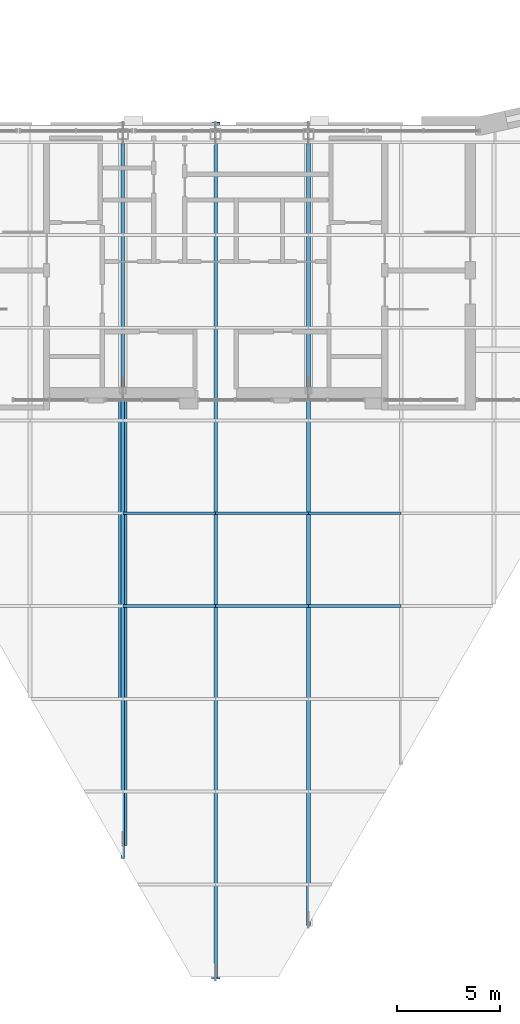
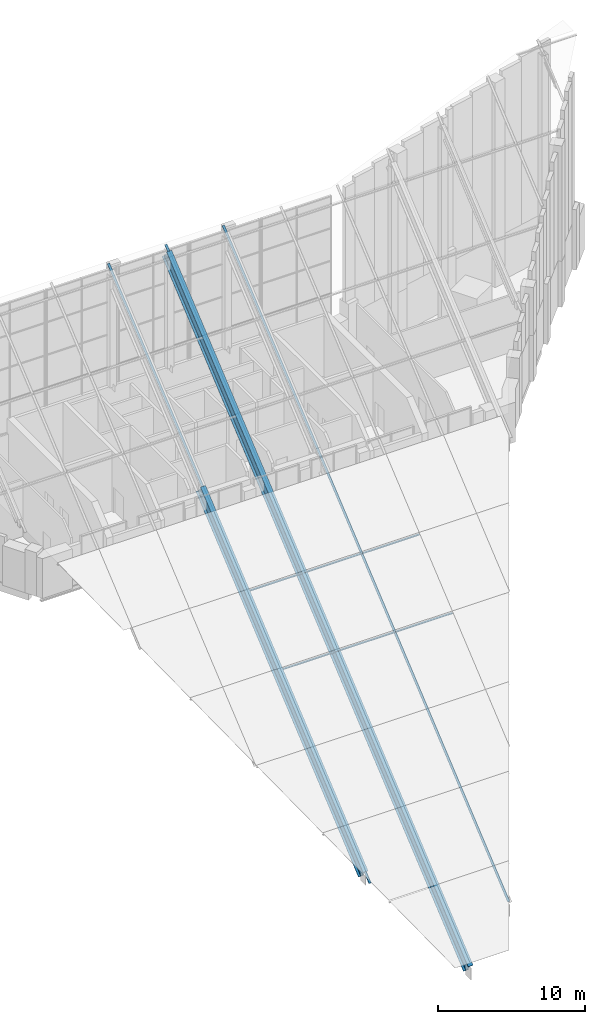
# One storey, part 3 of 19: 9 members, 2 beams, 3 elements without a shape of their own.
"""IFC4 building model written with IfcOpenShell, lengths in metres."""

import ifcopenshell
import ifcopenshell.guid

model = None  # the IFC model being written
_history = None  # IfcOwnerHistory: only IFC2X3 demands one
_inside = {}  # id of a spatial element -> (the spatial element, [elements in it])
_under = {}  # id of a project, library or spatial element -> (it, [spatial elements below it])
_declared = {}  # id of a project -> (the project, [libraries it declares])
_typed = {}  # id of a type object -> (the type object, [elements of that type])
_made_of = {}  # id of a material, layer set ... -> (it, [elements and type objects made of it])


def new_model(schema):
    """Start an empty IFC model of exactly this schema.

    Asked for "IFC4X3", IfcOpenShell would pick the latest addendum, in which some entities
    have other attributes; the version numbers below select the first issue.
    IFC2X3 requires an IfcOwnerHistory on every rooted entity: one is made here for all.
    """
    global model, _history
    if schema == "IFC4X3":
        model = ifcopenshell.file(schema_version=(4, 3, 0, 0))
    else:
        model = ifcopenshell.file(schema=schema)
    _inside.clear()
    _under.clear()
    _declared.clear()
    _typed.clear()
    _made_of.clear()
    _history = None
    if model.schema == "IFC2X3":
        org = make("IfcOrganization", Name="unknown")
        user = make(
            "IfcPersonAndOrganization",
            ThePerson=make("IfcPerson", FamilyName="unknown"),
            TheOrganization=org,
        )
        app = make(
            "IfcApplication",
            ApplicationDeveloper=org,
            Version="unknown",
            ApplicationFullName="unknown",
            ApplicationIdentifier="unknown",
        )
        _history = make(
            "IfcOwnerHistory",
            OwningUser=user,
            OwningApplication=app,
            ChangeAction="ADDED",
            CreationDate=0,
        )
    return model


def make(cls, **values):
    """One entity of the class cls with the attributes given. An attribute that is None is left unset."""
    return model.create_entity(
        cls, **{name: value for name, value in values.items() if value is not None}
    )


def rooted(cls, **values):
    """An entity with a GlobalId (a new one), such as an element, a storey or a relation."""
    return make(cls, GlobalId=ifcopenshell.guid.new(), OwnerHistory=_history, **values)


def si_unit(unit_type, name, prefix=None):
    """IfcSIUnit, for example si_unit("LENGTHUNIT", "METRE", prefix="MILLI")."""
    return make("IfcSIUnit", UnitType=unit_type, Prefix=prefix, Name=name)


def assignment(units):
    """IfcUnitAssignment: the units of a project."""
    return None if units is None else make("IfcUnitAssignment", Units=units)


def point(xyz):
    """IfcCartesianPoint."""
    return None if xyz is None else make("IfcCartesianPoint", Coordinates=xyz)


def direction(xyz):
    """IfcDirection."""
    return None if xyz is None else make("IfcDirection", DirectionRatios=xyz)


def frame(location, z_axis=None, x_axis=None):
    """IfcAxis2Placement3D, a coordinate frame: its origin and axes. An axis left out is left unset."""
    return make(
        "IfcAxis2Placement3D",
        Location=point(location),
        Axis=direction(z_axis),
        RefDirection=direction(x_axis),
    )


def frame_2d(location, x_axis=None):
    """IfcAxis2Placement2D, a coordinate frame in the plane: its origin and x axis."""
    return make(
        "IfcAxis2Placement2D", Location=point(location), RefDirection=direction(x_axis)
    )


def origin():
    """The frame at (0, 0, 0) with its axes left unset."""
    return frame((0.0, 0.0, 0.0))


def origin_2d():
    """The frame at (0, 0) in the plane with its x axis left unset."""
    return frame_2d((0.0, 0.0))


def place(relative_to, where):
    """IfcLocalPlacement: puts the frame where relative to a parent placement (None: the world)."""
    return make(
        "IfcLocalPlacement", PlacementRelTo=relative_to, RelativePlacement=where
    )


def context(
    kind, dimensions, precision=None, world=None, true_north=None, identifier=None
):
    """IfcGeometricRepresentationContext, for example the 3D "Model" context."""
    return make(
        "IfcGeometricRepresentationContext",
        ContextIdentifier=identifier,
        ContextType=kind,
        CoordinateSpaceDimension=dimensions,
        Precision=precision,
        WorldCoordinateSystem=world,
        TrueNorth=true_north,
    )


def subcontext(parent, identifier, kind, view, scale=None):
    """IfcGeometricRepresentationSubContext, for example "Body" below "Model"."""
    return make(
        "IfcGeometricRepresentationSubContext",
        ContextIdentifier=identifier,
        ContextType=kind,
        ParentContext=parent,
        TargetScale=scale,
        TargetView=view,
    )


def project(units=None, contexts=None):
    """IfcProject with its units and contexts."""
    return rooted(
        "IfcProject",
        Name="project",
        RepresentationContexts=contexts,
        UnitsInContext=assignment(units),
    )


def spatial(cls, under=None, at=None, **own):
    """A site, building, storey or space (cls), placed at a placement, below another one or the project."""
    s = rooted(cls, ObjectPlacement=at, **own)
    if under is not None:
        _under.setdefault(under.id(), (under, []))[1].append(s)
    return s


def profile(cls, at=None, kind="AREA", **sizes):
    """A parametric profile (cls). Its sizes go by their IFC names, for example OverallWidth=200.0."""
    return make(cls, ProfileType=kind, Position=at, **sizes)


def rectangle(**sizes):
    """IfcRectangleProfileDef."""
    return profile("IfcRectangleProfileDef", **sizes)


def i_section(**sizes):
    """IfcIShapeProfileDef."""
    return profile("IfcIShapeProfileDef", **sizes)


def extrude(swept, where, along, depth):
    """IfcExtrudedAreaSolid: the profile swept, set in the frame where, extruded along a direction by depth."""
    return make(
        "IfcExtrudedAreaSolid",
        SweptArea=swept,
        Position=where,
        ExtrudedDirection=direction(along),
        Depth=depth,
    )


def shape(context_of_items, identifier, shape_type, items):
    """IfcShapeRepresentation: the items that make up one representation, for example the "Body"."""
    return make(
        "IfcShapeRepresentation",
        ContextOfItems=context_of_items,
        RepresentationIdentifier=identifier,
        RepresentationType=shape_type,
        Items=items,
    )


def material(Name=None, Category=None):
    """IfcMaterial."""
    return make("IfcMaterial", Name=Name, Category=Category)


def material_profile(
    of_material, cross_section, Name=None, Category=None, Priority=None
):
    """IfcMaterialProfile: a cross section and its material."""
    return make(
        "IfcMaterialProfile",
        Name=Name,
        Material=of_material,
        Profile=cross_section,
        Priority=Priority,
        Category=Category,
    )


def profile_set(profiles, Name=None, composite=None):
    """IfcMaterialProfileSet."""
    return make(
        "IfcMaterialProfileSet",
        Name=Name,
        MaterialProfiles=profiles,
        CompositeProfile=composite,
    )


def made_of(thing, what):
    """Note that an element or type object is made of a material, layer set ...; save() writes the relation."""
    if what is not None:
        _made_of.setdefault(what.id(), (what, []))[1].append(thing)
    return thing


def type_object(cls, material=None, **own):
    """A type object (cls), such as IfcWallType, which elements share."""
    return made_of(rooted(cls, **own), material)


def element(
    cls,
    number,
    at=None,
    inside=None,
    cuts=None,
    type_object=None,
    material=None,
    context=None,
    identifier="Body",
    shape_type=None,
    held_by="IfcProductDefinitionShape",
    body=None,
    shapes=None,
    **own,
):
    """One element of the class cls, such as IfcWall. Its Tag is "e" and its number.

    at: its placement. inside: the storey or other place that contains it. cuts: it is an
    opening in that element (IfcRelVoidsElement). A single representation is given by context,
    identifier, shape_type and body (its items); several are given by shapes. held_by: the class
    of the entity that holds the representations. save() writes the other relations.
    """
    e = rooted(cls, Tag="e%d" % number, ObjectPlacement=at, **own)
    if body is not None:
        shapes = [shape(context, identifier, shape_type, body)]
    if shapes is not None:
        e.Representation = make(held_by, Representations=shapes)
    if inside is not None:
        _inside.setdefault(inside.id(), (inside, []))[1].append(e)
    if cuts is not None:
        rooted(
            "IfcRelVoidsElement", RelatingBuildingElement=cuts, RelatedOpeningElement=e
        )
    if type_object is not None:
        _typed.setdefault(type_object.id(), (type_object, []))[1].append(e)
    return made_of(e, material)


def aggregate(whole, parts):
    """IfcRelAggregates: a whole, such as a stair, and the parts it consists of."""
    return rooted("IfcRelAggregates", RelatingObject=whole, RelatedObjects=parts)


def save(model, path):
    """Write the relations noted so far, then the file.

    IfcRelAggregates (storeys below a building ...), IfcRelContainedInSpatialStructure (elements
    in a storey), IfcRelDefinesByType, IfcRelAssociatesMaterial and IfcRelDeclares: one each for
    every whole, place, type object, material and project.
    """
    for whole, parts in _under.values():
        aggregate(whole, parts)
    for where, things in _inside.values():
        rooted(
            "IfcRelContainedInSpatialStructure",
            RelatedElements=things,
            RelatingStructure=where,
        )
    for kind, things in _typed.values():
        rooted("IfcRelDefinesByType", RelatedObjects=things, RelatingType=kind)
    for what, things in _made_of.values():
        rooted("IfcRelAssociatesMaterial", RelatedObjects=things, RelatingMaterial=what)
    for by, libraries in _declared.values():
        rooted("IfcRelDeclares", RelatingContext=by, RelatedDefinitions=libraries)
    model.write(path)


model = new_model("IFC4")

# Units and contexts
model_context = context("Model", 3, precision=1e-05, world=origin(), true_north=direction((0.0, 1.0)))
body_context = subcontext(model_context, "Body", "Model", "MODEL_VIEW")
ifc_project = project(units=[si_unit("LENGTHUNIT", "METRE"), si_unit("AREAUNIT", "SQUARE_METRE"), si_unit("VOLUMEUNIT", "CUBIC_METRE"), si_unit("PLANEANGLEUNIT", "RADIAN"), si_unit("MASSUNIT", "GRAM", prefix="KILO")], contexts=[model_context])

# Site, building, storey
site_placement = place(None, origin())
site = spatial("IfcSite", under=ifc_project, at=site_placement, CompositionType="ELEMENT")
building_placement = place(site_placement, origin())
building = spatial("IfcBuilding", under=site, at=building_placement, Name="Calabash Gate Tower", CompositionType="ELEMENT")
storey_placement = place(building_placement, frame((0.0, 0.0, 335.5)))
storey = spatial("IfcBuildingStorey", under=building, at=storey_placement, Name="L78", CompositionType="ELEMENT", Elevation=335.5)

# Curtain wall, member
ifc_material_1 = material(Name="Anodised aluminium frame, bronze finish, clear laminated low-emissivity glazing", Category="aluminium")
curtain_wall_type = type_object("IfcCurtainWallType", Name="Curtain wall CWC crown roof glazing", PredefinedType="NOTDEFINED", material=ifc_material_1)
curtain_wall_1_placement = place(storey_placement, origin())
curtain_wall_1 = element("IfcCurtainWall", 1, at=curtain_wall_1_placement, inside=storey, type_object=curtain_wall_type, Name="Curtain wall CWC roof glazing strip 5", PredefinedType="NOTDEFINED")
ifc_material_2 = material(Name="Anodised aluminium frame, bronze finish", Category="aluminium")
ifc_material_profile_1 = material_profile(ifc_material_2, rectangle(XDim=0.179931640625, YDim=0.06494140625, at=origin_2d()))
ifc_profile_set_1 = profile_set([ifc_material_profile_1], Name="Anodised aluminium frame, bronze finish")
member_type_1 = type_object("IfcMemberType", Name="Mullion CWC 65x180", PredefinedType="MULLION", material=ifc_profile_set_1)
member_1_placement = place(storey_placement, frame((-4.5, -16.47119140625, -14.966796875), z_axis=(0.0, 0.766044940426, 0.642787017019), x_axis=(-1.0, 0.0, 0.0)))
member_1 = element("IfcMember", 2, at=member_1_placement, type_object=member_type_1, Name="CWC roof mullion 5.1", PredefinedType="MULLION", context=body_context, shape_type="SweptSolid", body=[
    extrude(rectangle(XDim=0.179931640625, YDim=0.06494140625, at=origin_2d()), origin(), (0.0, 0.0, 1.0), 46.372802734375),
])

curtain_wall_2_placement = place(storey_placement, origin())
curtain_wall_2 = element("IfcCurtainWall", 3, at=curtain_wall_2_placement, inside=storey, type_object=curtain_wall_type, Name="Curtain wall CWC roof glazing strip 6", PredefinedType="NOTDEFINED")
member_2_placement = place(storey_placement, frame((0.0, -22.251953125, -19.8173828125), z_axis=(0.0, 0.766045319116, 0.642786565713), x_axis=(-1.0, 0.0, 0.0)))
member_2 = element("IfcMember", 4, at=member_2_placement, type_object=member_type_1, Name="CWC roof mullion 6.1", PredefinedType="MULLION", context=body_context, shape_type="SweptSolid", body=[
    extrude(rectangle(XDim=0.179931640625, YDim=0.06494140625, at=origin_2d()), origin(), (0.0, 0.0, 1.0), 53.9189453125),
])

curtain_wall_3_placement = place(storey_placement, origin())
curtain_wall_3 = element("IfcCurtainWall", 5, at=curtain_wall_3_placement, inside=storey, type_object=curtain_wall_type, Name="Curtain wall CWC roof glazing strip 7", PredefinedType="NOTDEFINED")
member_3_placement = place(storey_placement, frame((4.5, -19.71337890625, -17.687255859375), z_axis=(0.0, 0.766045476337, 0.642786378343), x_axis=(-1.0, 0.0, 0.0)))
member_3 = element("IfcMember", 6, at=member_3_placement, type_object=member_type_1, Name="CWC roof mullion 7.1", PredefinedType="MULLION", context=body_context, shape_type="SweptSolid", body=[
    extrude(rectangle(XDim=0.179931640625, YDim=0.06494140625, at=origin_2d()), origin(), (0.0, 0.0, 1.0), 50.605224609375),
])

# Beams
ifc_material_3 = material(Name="Steel ASTM A992 Gr50", Category="steel")
ifc_material_profile_2 = material_profile(ifc_material_3, i_section(OverallWidth=0.4013671875, OverallDepth=1.000732421875, WebThickness=0.01904296875, FlangeThickness=0.0361328125, FilletRadius=0.030029296875, at=origin_2d()))
ifc_profile_set_2 = profile_set([ifc_material_profile_2], Name="Steel ASTM A992 Gr50")
beam_type = type_object("IfcBeamType", Name="Roof rafter W40x249 ASTM A992 Gr50", PredefinedType="BEAM", material=ifc_profile_set_2)
beam_1_placement = place(storey_placement, frame((-4.5, -15.547119140625, -14.757080078125), z_axis=(0.0, 0.765534865039, 0.643394412791), x_axis=(-1.0, 0.0, 0.0)))
element("IfcBeam", 7, at=beam_1_placement, inside=storey, type_object=beam_type, Name="Roof rafter 2", PredefinedType="BEAM", context=body_context, shape_type="SweptSolid", body=[
    extrude(i_section(OverallWidth=0.4013671875, OverallDepth=1.000732421875, WebThickness=0.01904296875, FlangeThickness=0.0361328125, FilletRadius=0.030029296875, at=origin_2d()), origin(), (0.0, 0.0, 1.0), 28.83349609375),
])
beam_2_placement = place(storey_placement, frame((0.0, -22.012939453125, -20.22705078125), z_axis=(0.0, 0.765362341474, 0.643599631955), x_axis=(-1.0, 0.0, 0.0)))
element("IfcBeam", 8, at=beam_2_placement, inside=storey, type_object=beam_type, Name="Roof rafter 4", PredefinedType="BEAM", context=body_context, shape_type="SweptSolid", body=[
    extrude(i_section(OverallWidth=0.4013671875, OverallDepth=1.000732421875, WebThickness=0.01904296875, FlangeThickness=0.0361328125, FilletRadius=0.030029296875, at=origin_2d()), origin(), (0.0, 0.0, 1.0), 53.47265625),
])

# Member
ifc_material_4 = material(Name="Anodised aluminium frame, bronze finish", Category="aluminium")
ifc_material_profile_3 = material_profile(ifc_material_4, rectangle(XDim=0.139892578125, YDim=0.06494140625, at=origin_2d()))
ifc_profile_set_3 = profile_set([ifc_material_profile_3], Name="Anodised aluminium frame, bronze finish")
member_type_2 = type_object("IfcMemberType", Name="Transom CWC 65x140", PredefinedType="USERDEFINED", material=ifc_profile_set_3)
member_4_placement = place(storey_placement, frame((-4.5, -4.251953125, -4.713623046875), z_axis=(1.0, 0.0, 0.0), x_axis=(0.0, 1.0, 0.0)))
member_4 = element("IfcMember", 9, at=member_4_placement, type_object=member_type_2, Name="CWC roof transom 5.4", ObjectType="TRANSOM", PredefinedType="USERDEFINED", context=body_context, shape_type="SweptSolid", body=[
    extrude(rectangle(XDim=0.139892578125, YDim=0.06494140625, at=origin_2d()), origin(), (0.0, 0.0, 1.0), 4.5),
])

member_5_placement = place(storey_placement, frame((-4.5, 0.248046875, -0.937744140625), z_axis=(1.0, 0.0, 0.0), x_axis=(0.0, 1.0, 0.0)))
member_5 = element("IfcMember", 10, at=member_5_placement, type_object=member_type_2, Name="CWC roof transom 5.5", ObjectType="TRANSOM", PredefinedType="USERDEFINED", context=body_context, shape_type="SweptSolid", body=[
    extrude(rectangle(XDim=0.139892578125, YDim=0.06494140625, at=origin_2d()), origin(), (0.0, 0.0, 1.0), 4.5),
])

aggregate(curtain_wall_1, [member_1, member_4, member_5])

member_6_placement = place(storey_placement, frame((0.0, -4.251953125, -4.713623046875), z_axis=(1.0, 0.0, 0.0), x_axis=(0.0, 1.0, 0.0)))
member_6 = element("IfcMember", 11, at=member_6_placement, type_object=member_type_2, Name="CWC roof transom 6.4", ObjectType="TRANSOM", PredefinedType="USERDEFINED", context=body_context, shape_type="SweptSolid", body=[
    extrude(rectangle(XDim=0.139892578125, YDim=0.06494140625, at=origin_2d()), origin(), (0.0, 0.0, 1.0), 4.5),
])

member_7_placement = place(storey_placement, frame((0.0, 0.248046875, -0.937744140625), z_axis=(1.0, 0.0, 0.0), x_axis=(0.0, 1.0, 0.0)))
member_7 = element("IfcMember", 12, at=member_7_placement, type_object=member_type_2, Name="CWC roof transom 6.5", ObjectType="TRANSOM", PredefinedType="USERDEFINED", context=body_context, shape_type="SweptSolid", body=[
    extrude(rectangle(XDim=0.139892578125, YDim=0.06494140625, at=origin_2d()), origin(), (0.0, 0.0, 1.0), 4.5),
])

aggregate(curtain_wall_2, [member_2, member_6, member_7])

member_8_placement = place(storey_placement, frame((4.5, -4.251953125, -4.713623046875), z_axis=(1.0, 0.0, 0.0), x_axis=(0.0, 1.0, 0.0)))
member_8 = element("IfcMember", 13, at=member_8_placement, type_object=member_type_2, Name="CWC roof transom 7.4", ObjectType="TRANSOM", PredefinedType="USERDEFINED", context=body_context, shape_type="SweptSolid", body=[
    extrude(rectangle(XDim=0.139892578125, YDim=0.06494140625, at=origin_2d()), origin(), (0.0, 0.0, 1.0), 4.5),
])

member_9_placement = place(storey_placement, frame((4.5, 0.248046875, -0.937744140625), z_axis=(1.0, 0.0, 0.0), x_axis=(0.0, 1.0, 0.0)))
member_9 = element("IfcMember", 14, at=member_9_placement, type_object=member_type_2, Name="CWC roof transom 7.5", ObjectType="TRANSOM", PredefinedType="USERDEFINED", context=body_context, shape_type="SweptSolid", body=[
    extrude(rectangle(XDim=0.139892578125, YDim=0.06494140625, at=origin_2d()), origin(), (0.0, 0.0, 1.0), 4.5),
])

aggregate(curtain_wall_3, [member_3, member_8, member_9])

save(model, "model.ifc")
